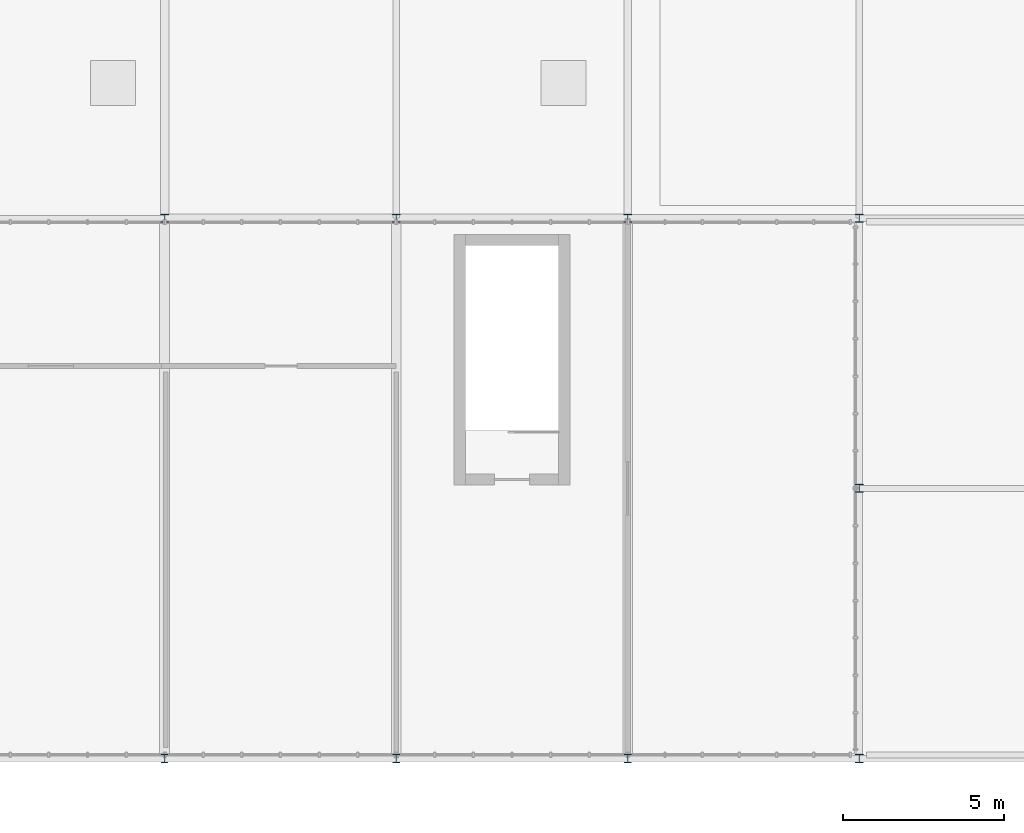
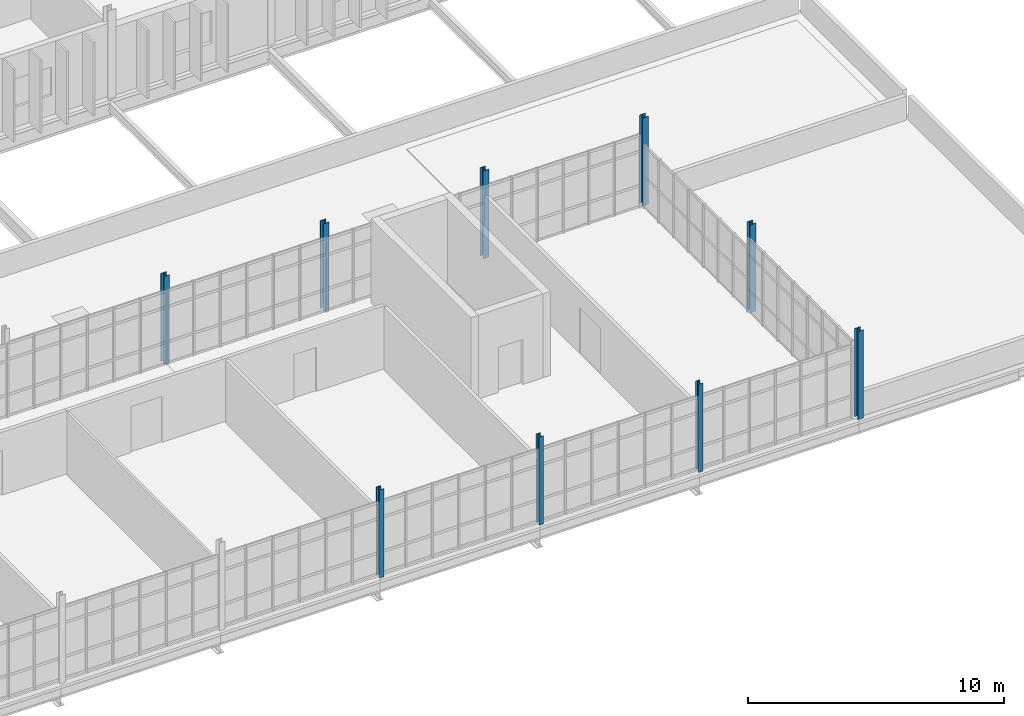
# One storey, part 21 of 119: 9 columns.
"""IFC4 building model written with IfcOpenShell, lengths in metres."""

import ifcopenshell
import ifcopenshell.guid

model = None  # the IFC model being written
_history = None  # IfcOwnerHistory: only IFC2X3 demands one
_inside = {}  # id of a spatial element -> (the spatial element, [elements in it])
_under = {}  # id of a project, library or spatial element -> (it, [spatial elements below it])
_declared = {}  # id of a project -> (the project, [libraries it declares])
_typed = {}  # id of a type object -> (the type object, [elements of that type])
_made_of = {}  # id of a material, layer set ... -> (it, [elements and type objects made of it])


def new_model(schema):
    """Start an empty IFC model of exactly this schema.

    Asked for "IFC4X3", IfcOpenShell would pick the latest addendum, in which some entities
    have other attributes; the version numbers below select the first issue.
    IFC2X3 requires an IfcOwnerHistory on every rooted entity: one is made here for all.
    """
    global model, _history
    if schema == "IFC4X3":
        model = ifcopenshell.file(schema_version=(4, 3, 0, 0))
    else:
        model = ifcopenshell.file(schema=schema)
    _inside.clear()
    _under.clear()
    _declared.clear()
    _typed.clear()
    _made_of.clear()
    _history = None
    if model.schema == "IFC2X3":
        org = make("IfcOrganization", Name="unknown")
        user = make(
            "IfcPersonAndOrganization",
            ThePerson=make("IfcPerson", FamilyName="unknown"),
            TheOrganization=org,
        )
        app = make(
            "IfcApplication",
            ApplicationDeveloper=org,
            Version="unknown",
            ApplicationFullName="unknown",
            ApplicationIdentifier="unknown",
        )
        _history = make(
            "IfcOwnerHistory",
            OwningUser=user,
            OwningApplication=app,
            ChangeAction="ADDED",
            CreationDate=0,
        )
    return model


def make(cls, **values):
    """One entity of the class cls with the attributes given. An attribute that is None is left unset."""
    return model.create_entity(
        cls, **{name: value for name, value in values.items() if value is not None}
    )


def rooted(cls, **values):
    """An entity with a GlobalId (a new one), such as an element, a storey or a relation."""
    return make(cls, GlobalId=ifcopenshell.guid.new(), OwnerHistory=_history, **values)


def si_unit(unit_type, name, prefix=None):
    """IfcSIUnit, for example si_unit("LENGTHUNIT", "METRE", prefix="MILLI")."""
    return make("IfcSIUnit", UnitType=unit_type, Prefix=prefix, Name=name)


def assignment(units):
    """IfcUnitAssignment: the units of a project."""
    return None if units is None else make("IfcUnitAssignment", Units=units)


def point(xyz):
    """IfcCartesianPoint."""
    return None if xyz is None else make("IfcCartesianPoint", Coordinates=xyz)


def direction(xyz):
    """IfcDirection."""
    return None if xyz is None else make("IfcDirection", DirectionRatios=xyz)


def frame(location, z_axis=None, x_axis=None):
    """IfcAxis2Placement3D, a coordinate frame: its origin and axes. An axis left out is left unset."""
    return make(
        "IfcAxis2Placement3D",
        Location=point(location),
        Axis=direction(z_axis),
        RefDirection=direction(x_axis),
    )


def frame_2d(location, x_axis=None):
    """IfcAxis2Placement2D, a coordinate frame in the plane: its origin and x axis."""
    return make(
        "IfcAxis2Placement2D", Location=point(location), RefDirection=direction(x_axis)
    )


def origin():
    """The frame at (0, 0, 0) with its axes left unset."""
    return frame((0.0, 0.0, 0.0))


def origin_2d():
    """The frame at (0, 0) in the plane with its x axis left unset."""
    return frame_2d((0.0, 0.0))


def place(relative_to, where):
    """IfcLocalPlacement: puts the frame where relative to a parent placement (None: the world)."""
    return make(
        "IfcLocalPlacement", PlacementRelTo=relative_to, RelativePlacement=where
    )


def context(
    kind, dimensions, precision=None, world=None, true_north=None, identifier=None
):
    """IfcGeometricRepresentationContext, for example the 3D "Model" context."""
    return make(
        "IfcGeometricRepresentationContext",
        ContextIdentifier=identifier,
        ContextType=kind,
        CoordinateSpaceDimension=dimensions,
        Precision=precision,
        WorldCoordinateSystem=world,
        TrueNorth=true_north,
    )


def subcontext(parent, identifier, kind, view, scale=None):
    """IfcGeometricRepresentationSubContext, for example "Body" below "Model"."""
    return make(
        "IfcGeometricRepresentationSubContext",
        ContextIdentifier=identifier,
        ContextType=kind,
        ParentContext=parent,
        TargetScale=scale,
        TargetView=view,
    )


def project(units=None, contexts=None):
    """IfcProject with its units and contexts."""
    return rooted(
        "IfcProject",
        Name="project",
        RepresentationContexts=contexts,
        UnitsInContext=assignment(units),
    )


def spatial(cls, under=None, at=None, **own):
    """A site, building, storey or space (cls), placed at a placement, below another one or the project."""
    s = rooted(cls, ObjectPlacement=at, **own)
    if under is not None:
        _under.setdefault(under.id(), (under, []))[1].append(s)
    return s


def profile(cls, at=None, kind="AREA", **sizes):
    """A parametric profile (cls). Its sizes go by their IFC names, for example OverallWidth=200.0."""
    return make(cls, ProfileType=kind, Position=at, **sizes)


def i_section(**sizes):
    """IfcIShapeProfileDef."""
    return profile("IfcIShapeProfileDef", **sizes)


def extrude(swept, where, along, depth):
    """IfcExtrudedAreaSolid: the profile swept, set in the frame where, extruded along a direction by depth."""
    return make(
        "IfcExtrudedAreaSolid",
        SweptArea=swept,
        Position=where,
        ExtrudedDirection=direction(along),
        Depth=depth,
    )


def shape(context_of_items, identifier, shape_type, items):
    """IfcShapeRepresentation: the items that make up one representation, for example the "Body"."""
    return make(
        "IfcShapeRepresentation",
        ContextOfItems=context_of_items,
        RepresentationIdentifier=identifier,
        RepresentationType=shape_type,
        Items=items,
    )


def material(Name=None, Category=None):
    """IfcMaterial."""
    return make("IfcMaterial", Name=Name, Category=Category)


def material_profile(
    of_material, cross_section, Name=None, Category=None, Priority=None
):
    """IfcMaterialProfile: a cross section and its material."""
    return make(
        "IfcMaterialProfile",
        Name=Name,
        Material=of_material,
        Profile=cross_section,
        Priority=Priority,
        Category=Category,
    )


def profile_set(profiles, Name=None, composite=None):
    """IfcMaterialProfileSet."""
    return make(
        "IfcMaterialProfileSet",
        Name=Name,
        MaterialProfiles=profiles,
        CompositeProfile=composite,
    )


def made_of(thing, what):
    """Note that an element or type object is made of a material, layer set ...; save() writes the relation."""
    if what is not None:
        _made_of.setdefault(what.id(), (what, []))[1].append(thing)
    return thing


def type_object(cls, material=None, **own):
    """A type object (cls), such as IfcWallType, which elements share."""
    return made_of(rooted(cls, **own), material)


def element(
    cls,
    number,
    at=None,
    inside=None,
    cuts=None,
    type_object=None,
    material=None,
    context=None,
    identifier="Body",
    shape_type=None,
    held_by="IfcProductDefinitionShape",
    body=None,
    shapes=None,
    **own,
):
    """One element of the class cls, such as IfcWall. Its Tag is "e" and its number.

    at: its placement. inside: the storey or other place that contains it. cuts: it is an
    opening in that element (IfcRelVoidsElement). A single representation is given by context,
    identifier, shape_type and body (its items); several are given by shapes. held_by: the class
    of the entity that holds the representations. save() writes the other relations.
    """
    e = rooted(cls, Tag="e%d" % number, ObjectPlacement=at, **own)
    if body is not None:
        shapes = [shape(context, identifier, shape_type, body)]
    if shapes is not None:
        e.Representation = make(held_by, Representations=shapes)
    if inside is not None:
        _inside.setdefault(inside.id(), (inside, []))[1].append(e)
    if cuts is not None:
        rooted(
            "IfcRelVoidsElement", RelatingBuildingElement=cuts, RelatedOpeningElement=e
        )
    if type_object is not None:
        _typed.setdefault(type_object.id(), (type_object, []))[1].append(e)
    return made_of(e, material)


def aggregate(whole, parts):
    """IfcRelAggregates: a whole, such as a stair, and the parts it consists of."""
    return rooted("IfcRelAggregates", RelatingObject=whole, RelatedObjects=parts)


def save(model, path):
    """Write the relations noted so far, then the file.

    IfcRelAggregates (storeys below a building ...), IfcRelContainedInSpatialStructure (elements
    in a storey), IfcRelDefinesByType, IfcRelAssociatesMaterial and IfcRelDeclares: one each for
    every whole, place, type object, material and project.
    """
    for whole, parts in _under.values():
        aggregate(whole, parts)
    for where, things in _inside.values():
        rooted(
            "IfcRelContainedInSpatialStructure",
            RelatedElements=things,
            RelatingStructure=where,
        )
    for kind, things in _typed.values():
        rooted("IfcRelDefinesByType", RelatedObjects=things, RelatingType=kind)
    for what, things in _made_of.values():
        rooted("IfcRelAssociatesMaterial", RelatedObjects=things, RelatingMaterial=what)
    for by, libraries in _declared.values():
        rooted("IfcRelDeclares", RelatingContext=by, RelatedDefinitions=libraries)
    model.write(path)


model = new_model("IFC4")

# Units and contexts
model_context = context("Model", 3, precision=1e-05, world=origin(), true_north=direction((0.0, 1.0)))
body_context = subcontext(model_context, "Body", "Model", "MODEL_VIEW")
ifc_project = project(units=[si_unit("LENGTHUNIT", "METRE"), si_unit("AREAUNIT", "SQUARE_METRE"), si_unit("VOLUMEUNIT", "CUBIC_METRE"), si_unit("PLANEANGLEUNIT", "RADIAN"), si_unit("MASSUNIT", "GRAM", prefix="KILO")], contexts=[model_context])

# Site, building, storey
site_placement = place(None, origin())
site = spatial("IfcSite", under=ifc_project, at=site_placement, CompositionType="ELEMENT")
building_placement = place(site_placement, origin())
building = spatial("IfcBuilding", under=site, at=building_placement, Name="Qelthora Terrace Specialist Clinic", CompositionType="ELEMENT")
storey_placement = place(building_placement, frame((0.0, 0.0, 4.800048828125)))
storey = spatial("IfcBuildingStorey", under=building, at=storey_placement, Name="L01", CompositionType="ELEMENT", Elevation=4.800048828125)

# Columns
ifc_material = material(Name="Steel S355", Category="steel")
ifc_material_profile_1 = material_profile(ifc_material, i_section(OverallWidth=0.2041015625, OverallDepth=0.257080078125, WebThickness=0.0087890625, FlangeThickness=0.015625, FilletRadius=0.012939453125, at=origin_2d()), Name="W250X67")
ifc_profile_set_1 = profile_set([ifc_material_profile_1], Name="Steel S355")
column_type_1 = type_object("IfcColumnType", Name="COL-W250X67", PredefinedType="COLUMN", material=ifc_profile_set_1)
for number, where, z_axis, x_axis, name in (
    (1, (129.60009765625, 0.0, 0.0), (0.0, 0.0, 1.0), (1.0, 0.0, 0.0), "Column L01-207"),
    (2, (136.800048828125, 0.0, 0.0), (0.0, 0.0, 1.0), (1.0, 0.0, 0.0), "Column L01-215"),
    (3, (144.0, 0.0, 0.0), (0.0, 0.0, 1.0), (1.0, 0.0, 0.0), "Column L01-223"),
):
    element("IfcColumn", number, at=place(storey_placement, frame(where, z_axis=z_axis, x_axis=x_axis)), inside=storey, type_object=column_type_1, Name=name, PredefinedType="COLUMN", context=body_context, shape_type="SweptSolid", body=[
        extrude(i_section(OverallWidth=0.2041015625, OverallDepth=0.257080078125, WebThickness=0.0087890625, FlangeThickness=0.015625, FilletRadius=0.012939453125, at=origin_2d()), origin(), (0.0, 0.0, 1.0), 4.199951171875),
    ])
ifc_material_profile_2 = material_profile(ifc_material, i_section(OverallWidth=0.25390625, OverallDepth=0.2529296875, WebThickness=0.008544921875, FlangeThickness=0.01416015625, FilletRadius=0.012939453125, at=origin_2d()), Name="W250X73")
ifc_profile_set_2 = profile_set([ifc_material_profile_2], Name="Steel S355")
column_type_2 = type_object("IfcColumnType", Name="COL-W250X73", PredefinedType="COLUMN", material=ifc_profile_set_2)
column_1_placement = place(storey_placement, frame((151.199951171875, 16.800048828125, 0.0), z_axis=(0.0, 0.0, 1.0), x_axis=(1.0, 0.0, 0.0)))
element("IfcColumn", 4, at=column_1_placement, inside=storey, type_object=column_type_2, Name="Column L01-238", PredefinedType="COLUMN", context=body_context, shape_type="SweptSolid", body=[
    extrude(i_section(OverallWidth=0.25390625, OverallDepth=0.2529296875, WebThickness=0.008544921875, FlangeThickness=0.01416015625, FilletRadius=0.012939453125, at=origin_2d()), origin(), (0.0, 0.0, 1.0), 4.199951171875),
])
ifc_material_profile_3 = material_profile(ifc_material, i_section(OverallWidth=0.2548828125, OverallDepth=0.256103515625, WebThickness=0.009521484375, FlangeThickness=0.015625, FilletRadius=0.012939453125, at=origin_2d()), Name="W250X80")
ifc_profile_set_3 = profile_set([ifc_material_profile_3], Name="Steel S355")
column_type_3 = type_object("IfcColumnType", Name="COL-W250X80", PredefinedType="COLUMN", material=ifc_profile_set_3)
column_2_placement = place(storey_placement, frame((151.199951171875, 8.39990234375, 0.0), z_axis=(0.0, 0.0, 1.0), x_axis=(1.0, 0.0, 0.0)))
element("IfcColumn", 5, at=column_2_placement, inside=storey, type_object=column_type_3, Name="Column L01-237", PredefinedType="COLUMN", context=body_context, shape_type="SweptSolid", body=[
    extrude(i_section(OverallWidth=0.2548828125, OverallDepth=0.256103515625, WebThickness=0.009521484375, FlangeThickness=0.015625, FilletRadius=0.012939453125, at=origin_2d()), origin(), (0.0, 0.0, 1.0), 4.199951171875),
])
ifc_material_profile_4 = material_profile(ifc_material, i_section(OverallWidth=0.256103515625, OverallDepth=0.260009765625, WebThickness=0.0107421875, FlangeThickness=0.017333984375, FilletRadius=0.012939453125, at=origin_2d()), Name="W250X89")
ifc_profile_set_4 = profile_set([ifc_material_profile_4], Name="Steel S355")
column_type_4 = type_object("IfcColumnType", Name="COL-W250X89", PredefinedType="COLUMN", material=ifc_profile_set_4)
for number, where, z_axis, x_axis, name in (
    (6, (129.60009765625, 16.800048828125, 0.0), (0.0, 0.0, 1.0), (1.0, 0.0, 0.0), "Column L01-208"),
    (7, (136.800048828125, 16.800048828125, 0.0), (0.0, 0.0, 1.0), (1.0, 0.0, 0.0), "Column L01-216"),
    (8, (144.0, 16.800048828125, 0.0), (0.0, 0.0, 1.0), (1.0, 0.0, 0.0), "Column L01-224"),
    (9, (151.199951171875, 0.0, 0.0), (0.0, 0.0, 1.0), (1.0, 0.0, 0.0), "Column L01-236"),
):
    element("IfcColumn", number, at=place(storey_placement, frame(where, z_axis=z_axis, x_axis=x_axis)), inside=storey, type_object=column_type_4, Name=name, PredefinedType="COLUMN", context=body_context, shape_type="SweptSolid", body=[
        extrude(i_section(OverallWidth=0.256103515625, OverallDepth=0.260009765625, WebThickness=0.0107421875, FlangeThickness=0.017333984375, FilletRadius=0.012939453125, at=origin_2d()), origin(), (0.0, 0.0, 1.0), 4.199951171875),
    ])

save(model, "model.ifc")
